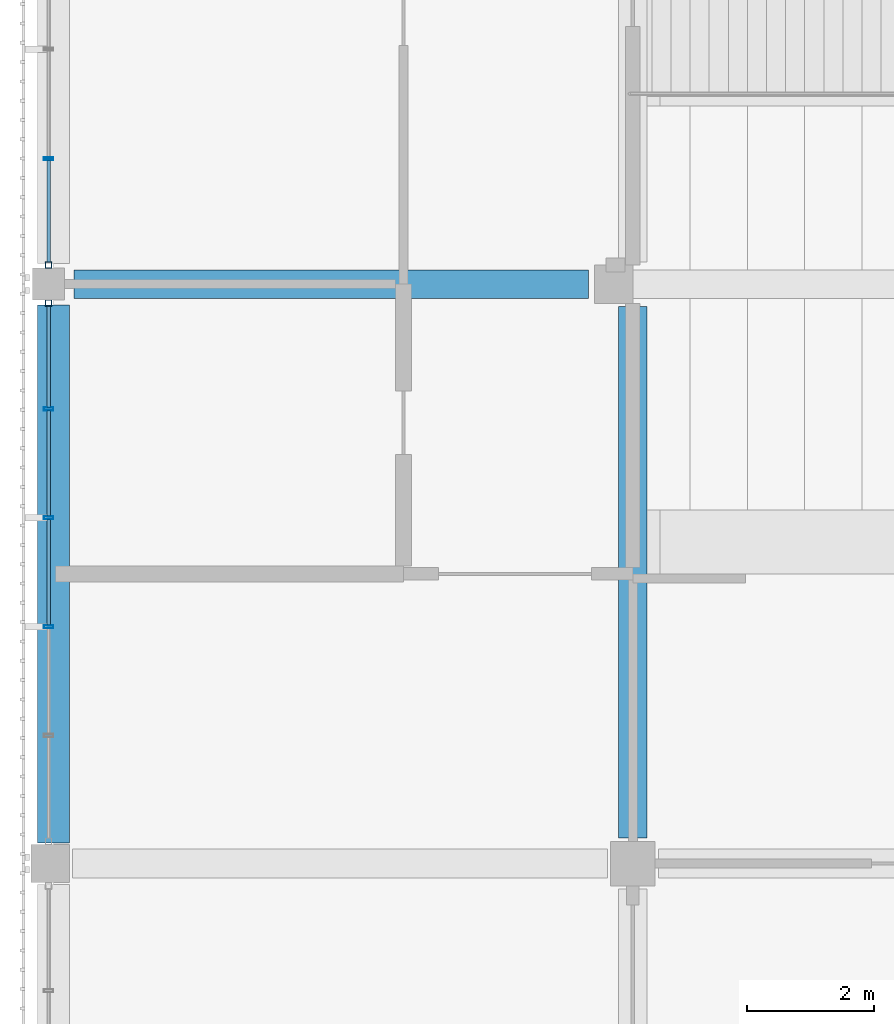
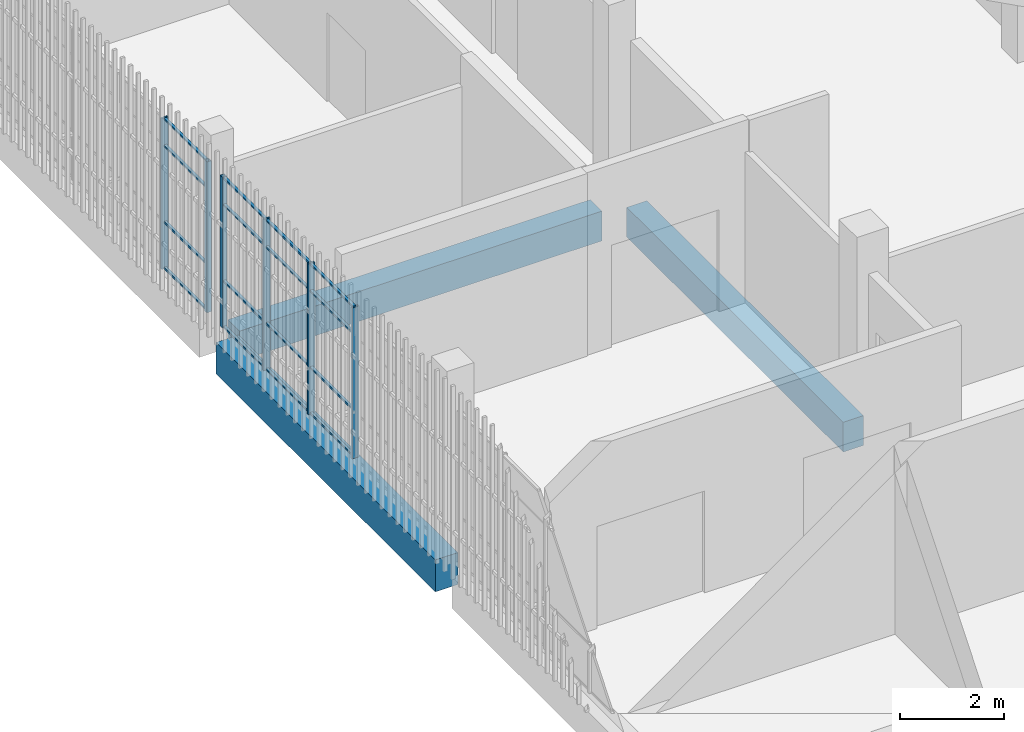
# One storey, part 16 of 139: 22 members, 3 beams, 2 elements without a shape of their own.
"""IFC4 building model written with IfcOpenShell, lengths in metres."""

import ifcopenshell
import ifcopenshell.guid

model = None  # the IFC model being written
_history = None  # IfcOwnerHistory: only IFC2X3 demands one
_inside = {}  # id of a spatial element -> (the spatial element, [elements in it])
_under = {}  # id of a project, library or spatial element -> (it, [spatial elements below it])
_declared = {}  # id of a project -> (the project, [libraries it declares])
_typed = {}  # id of a type object -> (the type object, [elements of that type])
_made_of = {}  # id of a material, layer set ... -> (it, [elements and type objects made of it])


def new_model(schema):
    """Start an empty IFC model of exactly this schema.

    Asked for "IFC4X3", IfcOpenShell would pick the latest addendum, in which some entities
    have other attributes; the version numbers below select the first issue.
    IFC2X3 requires an IfcOwnerHistory on every rooted entity: one is made here for all.
    """
    global model, _history
    if schema == "IFC4X3":
        model = ifcopenshell.file(schema_version=(4, 3, 0, 0))
    else:
        model = ifcopenshell.file(schema=schema)
    _inside.clear()
    _under.clear()
    _declared.clear()
    _typed.clear()
    _made_of.clear()
    _history = None
    if model.schema == "IFC2X3":
        org = make("IfcOrganization", Name="unknown")
        user = make(
            "IfcPersonAndOrganization",
            ThePerson=make("IfcPerson", FamilyName="unknown"),
            TheOrganization=org,
        )
        app = make(
            "IfcApplication",
            ApplicationDeveloper=org,
            Version="unknown",
            ApplicationFullName="unknown",
            ApplicationIdentifier="unknown",
        )
        _history = make(
            "IfcOwnerHistory",
            OwningUser=user,
            OwningApplication=app,
            ChangeAction="ADDED",
            CreationDate=0,
        )
    return model


def make(cls, **values):
    """One entity of the class cls with the attributes given. An attribute that is None is left unset."""
    return model.create_entity(
        cls, **{name: value for name, value in values.items() if value is not None}
    )


def rooted(cls, **values):
    """An entity with a GlobalId (a new one), such as an element, a storey or a relation."""
    return make(cls, GlobalId=ifcopenshell.guid.new(), OwnerHistory=_history, **values)


def si_unit(unit_type, name, prefix=None):
    """IfcSIUnit, for example si_unit("LENGTHUNIT", "METRE", prefix="MILLI")."""
    return make("IfcSIUnit", UnitType=unit_type, Prefix=prefix, Name=name)


def assignment(units):
    """IfcUnitAssignment: the units of a project."""
    return None if units is None else make("IfcUnitAssignment", Units=units)


def point(xyz):
    """IfcCartesianPoint."""
    return None if xyz is None else make("IfcCartesianPoint", Coordinates=xyz)


def direction(xyz):
    """IfcDirection."""
    return None if xyz is None else make("IfcDirection", DirectionRatios=xyz)


def frame(location, z_axis=None, x_axis=None):
    """IfcAxis2Placement3D, a coordinate frame: its origin and axes. An axis left out is left unset."""
    return make(
        "IfcAxis2Placement3D",
        Location=point(location),
        Axis=direction(z_axis),
        RefDirection=direction(x_axis),
    )


def frame_2d(location, x_axis=None):
    """IfcAxis2Placement2D, a coordinate frame in the plane: its origin and x axis."""
    return make(
        "IfcAxis2Placement2D", Location=point(location), RefDirection=direction(x_axis)
    )


def origin():
    """The frame at (0, 0, 0) with its axes left unset."""
    return frame((0.0, 0.0, 0.0))


def origin_2d():
    """The frame at (0, 0) in the plane with its x axis left unset."""
    return frame_2d((0.0, 0.0))


def place(relative_to, where):
    """IfcLocalPlacement: puts the frame where relative to a parent placement (None: the world)."""
    return make(
        "IfcLocalPlacement", PlacementRelTo=relative_to, RelativePlacement=where
    )


def context(
    kind, dimensions, precision=None, world=None, true_north=None, identifier=None
):
    """IfcGeometricRepresentationContext, for example the 3D "Model" context."""
    return make(
        "IfcGeometricRepresentationContext",
        ContextIdentifier=identifier,
        ContextType=kind,
        CoordinateSpaceDimension=dimensions,
        Precision=precision,
        WorldCoordinateSystem=world,
        TrueNorth=true_north,
    )


def subcontext(parent, identifier, kind, view, scale=None):
    """IfcGeometricRepresentationSubContext, for example "Body" below "Model"."""
    return make(
        "IfcGeometricRepresentationSubContext",
        ContextIdentifier=identifier,
        ContextType=kind,
        ParentContext=parent,
        TargetScale=scale,
        TargetView=view,
    )


def project(units=None, contexts=None):
    """IfcProject with its units and contexts."""
    return rooted(
        "IfcProject",
        Name="project",
        RepresentationContexts=contexts,
        UnitsInContext=assignment(units),
    )


def spatial(cls, under=None, at=None, **own):
    """A site, building, storey or space (cls), placed at a placement, below another one or the project."""
    s = rooted(cls, ObjectPlacement=at, **own)
    if under is not None:
        _under.setdefault(under.id(), (under, []))[1].append(s)
    return s


def profile(cls, at=None, kind="AREA", **sizes):
    """A parametric profile (cls). Its sizes go by their IFC names, for example OverallWidth=200.0."""
    return make(cls, ProfileType=kind, Position=at, **sizes)


def rectangle(**sizes):
    """IfcRectangleProfileDef."""
    return profile("IfcRectangleProfileDef", **sizes)


def hollow_rectangle(**sizes):
    """IfcRectangleHollowProfileDef."""
    return profile("IfcRectangleHollowProfileDef", **sizes)


def extrude(swept, where, along, depth):
    """IfcExtrudedAreaSolid: the profile swept, set in the frame where, extruded along a direction by depth."""
    return make(
        "IfcExtrudedAreaSolid",
        SweptArea=swept,
        Position=where,
        ExtrudedDirection=direction(along),
        Depth=depth,
    )


def shape(context_of_items, identifier, shape_type, items):
    """IfcShapeRepresentation: the items that make up one representation, for example the "Body"."""
    return make(
        "IfcShapeRepresentation",
        ContextOfItems=context_of_items,
        RepresentationIdentifier=identifier,
        RepresentationType=shape_type,
        Items=items,
    )


def material(Name=None, Category=None):
    """IfcMaterial."""
    return make("IfcMaterial", Name=Name, Category=Category)


def layer(
    of_material, thickness, ventilated=None, Name=None, Category=None, Priority=None
):
    """IfcMaterialLayer: one layer of a wall or slab, of a material (None: an air gap)."""
    return make(
        "IfcMaterialLayer",
        Material=of_material,
        LayerThickness=thickness,
        IsVentilated=ventilated,
        Name=Name,
        Category=Category,
        Priority=Priority,
    )


def layer_set(layers, Name=None):
    """IfcMaterialLayerSet."""
    return make("IfcMaterialLayerSet", MaterialLayers=layers, LayerSetName=Name)


def material_profile(
    of_material, cross_section, Name=None, Category=None, Priority=None
):
    """IfcMaterialProfile: a cross section and its material."""
    return make(
        "IfcMaterialProfile",
        Name=Name,
        Material=of_material,
        Profile=cross_section,
        Priority=Priority,
        Category=Category,
    )


def profile_set(profiles, Name=None, composite=None):
    """IfcMaterialProfileSet."""
    return make(
        "IfcMaterialProfileSet",
        Name=Name,
        MaterialProfiles=profiles,
        CompositeProfile=composite,
    )


def made_of(thing, what):
    """Note that an element or type object is made of a material, layer set ...; save() writes the relation."""
    if what is not None:
        _made_of.setdefault(what.id(), (what, []))[1].append(thing)
    return thing


def type_object(cls, material=None, **own):
    """A type object (cls), such as IfcWallType, which elements share."""
    return made_of(rooted(cls, **own), material)


def element(
    cls,
    number,
    at=None,
    inside=None,
    cuts=None,
    type_object=None,
    material=None,
    context=None,
    identifier="Body",
    shape_type=None,
    held_by="IfcProductDefinitionShape",
    body=None,
    shapes=None,
    **own,
):
    """One element of the class cls, such as IfcWall. Its Tag is "e" and its number.

    at: its placement. inside: the storey or other place that contains it. cuts: it is an
    opening in that element (IfcRelVoidsElement). A single representation is given by context,
    identifier, shape_type and body (its items); several are given by shapes. held_by: the class
    of the entity that holds the representations. save() writes the other relations.
    """
    e = rooted(cls, Tag="e%d" % number, ObjectPlacement=at, **own)
    if body is not None:
        shapes = [shape(context, identifier, shape_type, body)]
    if shapes is not None:
        e.Representation = make(held_by, Representations=shapes)
    if inside is not None:
        _inside.setdefault(inside.id(), (inside, []))[1].append(e)
    if cuts is not None:
        rooted(
            "IfcRelVoidsElement", RelatingBuildingElement=cuts, RelatedOpeningElement=e
        )
    if type_object is not None:
        _typed.setdefault(type_object.id(), (type_object, []))[1].append(e)
    return made_of(e, material)


def aggregate(whole, parts):
    """IfcRelAggregates: a whole, such as a stair, and the parts it consists of."""
    return rooted("IfcRelAggregates", RelatingObject=whole, RelatedObjects=parts)


def save(model, path):
    """Write the relations noted so far, then the file.

    IfcRelAggregates (storeys below a building ...), IfcRelContainedInSpatialStructure (elements
    in a storey), IfcRelDefinesByType, IfcRelAssociatesMaterial and IfcRelDeclares: one each for
    every whole, place, type object, material and project.
    """
    for whole, parts in _under.values():
        aggregate(whole, parts)
    for where, things in _inside.values():
        rooted(
            "IfcRelContainedInSpatialStructure",
            RelatedElements=things,
            RelatingStructure=where,
        )
    for kind, things in _typed.values():
        rooted("IfcRelDefinesByType", RelatedObjects=things, RelatingType=kind)
    for what, things in _made_of.values():
        rooted("IfcRelAssociatesMaterial", RelatedObjects=things, RelatingMaterial=what)
    for by, libraries in _declared.values():
        rooted("IfcRelDeclares", RelatingContext=by, RelatedDefinitions=libraries)
    model.write(path)


model = new_model("IFC4")

# Units and contexts
model_context = context("Model", 3, precision=1e-05, world=origin(), true_north=direction((0.0, 1.0)))
body_context = subcontext(model_context, "Body", "Model", "MODEL_VIEW")
ifc_project = project(units=[si_unit("LENGTHUNIT", "METRE"), si_unit("AREAUNIT", "SQUARE_METRE"), si_unit("VOLUMEUNIT", "CUBIC_METRE"), si_unit("PLANEANGLEUNIT", "RADIAN"), si_unit("MASSUNIT", "GRAM", prefix="KILO")], contexts=[model_context])

# Site, building, storey
site_placement = place(None, origin())
site = spatial("IfcSite", under=ifc_project, at=site_placement, CompositionType="ELEMENT")
building_placement = place(site_placement, origin())
building = spatial("IfcBuilding", under=site, at=building_placement, Name="Shirokan Park Arena", CompositionType="ELEMENT")
storey_placement = place(building_placement, frame((0.0, 0.0, 15.469970703125)))
storey = spatial("IfcBuildingStorey", under=building, at=storey_placement, Name="L03", CompositionType="ELEMENT", Elevation=15.469970703125)

# Curtain wall, member
ifc_material_1 = material(Name="Steel and glass curtain wall", Category="steel")
ifc_layer = layer(ifc_material_1, 0.14990234375)
ifc_layer_set = layer_set([ifc_layer], Name="Steel and glass curtain wall 150 mm")
curtain_wall_type = type_object("IfcCurtainWallType", Name="Curtain wall exposed bay 150", PredefinedType="NOTDEFINED", material=ifc_layer_set)
curtain_wall_1_placement = place(storey_placement, origin())
curtain_wall_1 = element("IfcCurtainWall", 1, at=curtain_wall_1_placement, inside=storey, type_object=curtain_wall_type, Name="Curtain wall west bay 7 L03", PredefinedType="NOTDEFINED")
ifc_material_2 = material(Name="Steel S355", Category="steel")
ifc_material_profile_1 = material_profile(ifc_material_2, hollow_rectangle(XDim=0.10009765625, YDim=0.10009765625, WallThickness=0.006103515625, at=origin_2d()), Name="RHS 100x100x6")
ifc_profile_set_1 = profile_set([ifc_material_profile_1], Name="Steel S355")
member_type_1 = type_object("IfcMemberType", Name="Mullion RHS 100x100x6", PredefinedType="MULLION", material=ifc_profile_set_1)
member_1_placement = place(storey_placement, frame((-0.074951171875, 45.800048828125, 0.0), z_axis=(0.0, 0.0, 1.0), x_axis=(1.0, 0.0, 0.0)))
member_1 = element("IfcMember", 2, at=member_1_placement, type_object=member_type_1, Name="CW1 mullion 6", PredefinedType="MULLION", context=body_context, shape_type="SweptSolid", body=[
    extrude(hollow_rectangle(XDim=0.10009765625, YDim=0.10009765625, WallThickness=0.006103515625, at=origin_2d()), origin(), (0.0, 0.0, 1.0), 3.550048828125),
])

curtain_wall_2_placement = place(storey_placement, origin())
curtain_wall_2 = element("IfcCurtainWall", 3, at=curtain_wall_2_placement, inside=storey, type_object=curtain_wall_type, Name="Curtain wall west bay 8 L03", PredefinedType="NOTDEFINED")
member_2_placement = place(storey_placement, frame((-0.074951171875, 45.199951171875, 0.0), z_axis=(0.0, 0.0, 1.0), x_axis=(1.0, 0.0, 0.0)))
member_2 = element("IfcMember", 4, at=member_2_placement, type_object=member_type_1, Name="CW1 mullion 1", PredefinedType="MULLION", context=body_context, shape_type="SweptSolid", body=[
    extrude(hollow_rectangle(XDim=0.10009765625, YDim=0.10009765625, WallThickness=0.006103515625, at=origin_2d()), origin(), (0.0, 0.0, 1.0), 3.550048828125),
])

# Member
ifc_material_profile_2 = material_profile(ifc_material_2, hollow_rectangle(XDim=0.14990234375, YDim=0.050048828125, WallThickness=0.006103515625, at=origin_2d()), Name="RHS 150x50x6")
ifc_profile_set_2 = profile_set([ifc_material_profile_2], Name="Steel S355")
member_type_2 = type_object("IfcMemberType", Name="Mullion RHS 150x50x6", PredefinedType="MULLION", material=ifc_profile_set_2)
member_3_placement = place(storey_placement, frame((-0.074951171875, 47.469970703125, 0.0), z_axis=(0.0, 0.0, 1.0), x_axis=(1.0, 0.0, 0.0)))
member_3 = element("IfcMember", 5, at=member_3_placement, type_object=member_type_2, Name="CW1 mullion 5", PredefinedType="MULLION", context=body_context, shape_type="SweptSolid", body=[
    extrude(hollow_rectangle(XDim=0.14990234375, YDim=0.050048828125, WallThickness=0.006103515625, at=origin_2d()), origin(), (0.0, 0.0, 1.0), 3.550048828125),
])

member_4_placement = place(storey_placement, frame((-0.074951171875, 43.5400390625, 0.0), z_axis=(0.0, 0.0, 1.0), x_axis=(1.0, 0.0, 0.0)))
member_4 = element("IfcMember", 6, at=member_4_placement, type_object=member_type_2, Name="CW1 mullion 2", PredefinedType="MULLION", context=body_context, shape_type="SweptSolid", body=[
    extrude(hollow_rectangle(XDim=0.14990234375, YDim=0.050048828125, WallThickness=0.006103515625, at=origin_2d()), origin(), (0.0, 0.0, 1.0), 3.550048828125),
])

member_5_placement = place(storey_placement, frame((-0.074951171875, 41.830078125, 0.0), z_axis=(0.0, 0.0, 1.0), x_axis=(1.0, 0.0, 0.0)))
member_5 = element("IfcMember", 7, at=member_5_placement, type_object=member_type_2, Name="CW1 mullion 3", PredefinedType="MULLION", context=body_context, shape_type="SweptSolid", body=[
    extrude(hollow_rectangle(XDim=0.14990234375, YDim=0.050048828125, WallThickness=0.006103515625, at=origin_2d()), origin(), (0.0, 0.0, 1.0), 3.550048828125),
])

member_6_placement = place(storey_placement, frame((-0.074951171875, 40.1201171875, 0.0), z_axis=(0.0, 0.0, 1.0), x_axis=(1.0, 0.0, 0.0)))
member_6 = element("IfcMember", 8, at=member_6_placement, type_object=member_type_2, Name="CW1 mullion 4", PredefinedType="MULLION", context=body_context, shape_type="SweptSolid", body=[
    extrude(hollow_rectangle(XDim=0.14990234375, YDim=0.050048828125, WallThickness=0.006103515625, at=origin_2d()), origin(), (0.0, 0.0, 1.0), 3.550048828125),
])

# Beams
ifc_material_3 = material(Name="Concrete C35", Category="concrete")
ifc_material_profile_3 = material_profile(ifc_material_3, rectangle(XDim=0.449951171875, YDim=0.699951171875, at=origin_2d()), Name="450x700")
ifc_profile_set_3 = profile_set([ifc_material_profile_3], Name="Concrete C35")
beam_type_1 = type_object("IfcBeamType", Name="RC girder 450x700", PredefinedType="BEAM", material=ifc_profile_set_3)
beam_1_placement = place(storey_placement, frame((0.3251953125, 45.5, -0.64990234375), z_axis=(1.0, 0.0, 0.0), x_axis=(0.0, 1.0, 0.0)))
element("IfcBeam", 9, at=beam_1_placement, inside=storey, type_object=beam_type_1, Name="Girder 1F-2F L03", PredefinedType="BEAM", context=body_context, shape_type="SweptSolid", body=[
    extrude(rectangle(XDim=0.449951171875, YDim=0.699951171875, at=origin_2d()), origin(), (0.0, 0.0, 1.0), 8.07470703125),
])
beam_2_placement = place(storey_placement, frame((9.10009765625, 36.800048828125, -0.64990234375), z_axis=(0.0, 1.0, 0.0), x_axis=(-1.0, 0.0, 0.0)))
element("IfcBeam", 10, at=beam_2_placement, inside=storey, type_object=beam_type_1, Name="Girder 2E-2F L03", PredefinedType="BEAM", context=body_context, shape_type="SweptSolid", body=[
    extrude(rectangle(XDim=0.449951171875, YDim=0.699951171875, at=origin_2d()), origin(), (0.0, 0.0, 1.0), 8.349853515625),
])
ifc_material_profile_4 = material_profile(ifc_material_3, rectangle(XDim=0.5, YDim=0.75, at=origin_2d()), Name="500x750")
ifc_profile_set_4 = profile_set([ifc_material_profile_4], Name="Concrete C35")
beam_type_2 = type_object("IfcBeamType", Name="RC girder 500x750", PredefinedType="BEAM", material=ifc_profile_set_4)
beam_3_placement = place(storey_placement, frame((0.0, 36.72509765625, -0.675048828125), z_axis=(0.0, 1.0, 0.0), x_axis=(-1.0, 0.0, 0.0)))
element("IfcBeam", 11, at=beam_3_placement, inside=storey, type_object=beam_type_2, Name="Girder 1E-1F L03", PredefinedType="BEAM", context=body_context, shape_type="SweptSolid", body=[
    extrude(rectangle(XDim=0.5, YDim=0.75, at=origin_2d()), origin(), (0.0, 0.0, 1.0), 8.44970703125),
])

# Member
ifc_material_profile_5 = material_profile(ifc_material_2, hollow_rectangle(XDim=0.06005859375, YDim=0.0400390625, WallThickness=0.00390625, at=origin_2d()), Name="RHS 60x40x4")
ifc_profile_set_5 = profile_set([ifc_material_profile_5], Name="Steel S355")
member_type_3 = type_object("IfcMemberType", Name="Transom RHS 60x40x4", PredefinedType="MULLION", material=ifc_profile_set_5)
member_7_placement = place(storey_placement, frame((-0.074951171875, 47.445068359375, 0.02001953125), z_axis=(0.0, -1.0, 0.0), x_axis=(1.0, 0.0, 0.0)))
member_7 = element("IfcMember", 12, at=member_7_placement, type_object=member_type_3, Name="CW1 transom 5.1", PredefinedType="MULLION", context=body_context, shape_type="SweptSolid", body=[
    extrude(hollow_rectangle(XDim=0.06005859375, YDim=0.0400390625, WallThickness=0.00390625, at=origin_2d()), origin(), (0.0, 0.0, 1.0), 1.594970703125),
])

member_8_placement = place(storey_placement, frame((-0.074951171875, 47.445068359375, 1.10009765625), z_axis=(0.0, -1.0, 0.0), x_axis=(1.0, 0.0, 0.0)))
member_8 = element("IfcMember", 13, at=member_8_placement, type_object=member_type_3, Name="CW1 transom 5.2", PredefinedType="MULLION", context=body_context, shape_type="SweptSolid", body=[
    extrude(hollow_rectangle(XDim=0.06005859375, YDim=0.0400390625, WallThickness=0.00390625, at=origin_2d()), origin(), (0.0, 0.0, 1.0), 1.594970703125),
])

member_9_placement = place(storey_placement, frame((-0.074951171875, 47.445068359375, 2.900146484375), z_axis=(0.0, -1.0, 0.0), x_axis=(1.0, 0.0, 0.0)))
member_9 = element("IfcMember", 14, at=member_9_placement, type_object=member_type_3, Name="CW1 transom 5.3", PredefinedType="MULLION", context=body_context, shape_type="SweptSolid", body=[
    extrude(hollow_rectangle(XDim=0.06005859375, YDim=0.0400390625, WallThickness=0.00390625, at=origin_2d()), origin(), (0.0, 0.0, 1.0), 1.594970703125),
])

member_10_placement = place(storey_placement, frame((-0.074951171875, 47.445068359375, 3.530029296875), z_axis=(0.0, -1.0, 0.0), x_axis=(1.0, 0.0, 0.0)))
member_10 = element("IfcMember", 15, at=member_10_placement, type_object=member_type_3, Name="CW1 transom 5.4", PredefinedType="MULLION", context=body_context, shape_type="SweptSolid", body=[
    extrude(hollow_rectangle(XDim=0.06005859375, YDim=0.0400390625, WallThickness=0.00390625, at=origin_2d()), origin(), (0.0, 0.0, 1.0), 1.594970703125),
])

aggregate(curtain_wall_1, [member_3, member_1, member_7, member_8, member_9, member_10])

member_11_placement = place(storey_placement, frame((-0.074951171875, 45.14990234375, 0.02001953125), z_axis=(0.0, -1.0, 0.0), x_axis=(1.0, 0.0, 0.0)))
member_11 = element("IfcMember", 16, at=member_11_placement, type_object=member_type_3, Name="CW1 transom 1.1", PredefinedType="MULLION", context=body_context, shape_type="SweptSolid", body=[
    extrude(hollow_rectangle(XDim=0.06005859375, YDim=0.0400390625, WallThickness=0.00390625, at=origin_2d()), origin(), (0.0, 0.0, 1.0), 1.5849609375),
])

member_12_placement = place(storey_placement, frame((-0.074951171875, 45.14990234375, 1.10009765625), z_axis=(0.0, -1.0, 0.0), x_axis=(1.0, 0.0, 0.0)))
member_12 = element("IfcMember", 17, at=member_12_placement, type_object=member_type_3, Name="CW1 transom 1.2", PredefinedType="MULLION", context=body_context, shape_type="SweptSolid", body=[
    extrude(hollow_rectangle(XDim=0.06005859375, YDim=0.0400390625, WallThickness=0.00390625, at=origin_2d()), origin(), (0.0, 0.0, 1.0), 1.5849609375),
])

member_13_placement = place(storey_placement, frame((-0.074951171875, 45.14990234375, 2.900146484375), z_axis=(0.0, -1.0, 0.0), x_axis=(1.0, 0.0, 0.0)))
member_13 = element("IfcMember", 18, at=member_13_placement, type_object=member_type_3, Name="CW1 transom 1.3", PredefinedType="MULLION", context=body_context, shape_type="SweptSolid", body=[
    extrude(hollow_rectangle(XDim=0.06005859375, YDim=0.0400390625, WallThickness=0.00390625, at=origin_2d()), origin(), (0.0, 0.0, 1.0), 1.5849609375),
])

member_14_placement = place(storey_placement, frame((-0.074951171875, 45.14990234375, 3.530029296875), z_axis=(0.0, -1.0, 0.0), x_axis=(1.0, 0.0, 0.0)))
member_14 = element("IfcMember", 19, at=member_14_placement, type_object=member_type_3, Name="CW1 transom 1.4", PredefinedType="MULLION", context=body_context, shape_type="SweptSolid", body=[
    extrude(hollow_rectangle(XDim=0.06005859375, YDim=0.0400390625, WallThickness=0.00390625, at=origin_2d()), origin(), (0.0, 0.0, 1.0), 1.5849609375),
])

member_15_placement = place(storey_placement, frame((-0.074951171875, 43.514892578125, 0.02001953125), z_axis=(0.0, -1.0, 0.0), x_axis=(1.0, 0.0, 0.0)))
member_15 = element("IfcMember", 20, at=member_15_placement, type_object=member_type_3, Name="CW1 transom 2.1", PredefinedType="MULLION", context=body_context, shape_type="SweptSolid", body=[
    extrude(hollow_rectangle(XDim=0.06005859375, YDim=0.0400390625, WallThickness=0.00390625, at=origin_2d()), origin(), (0.0, 0.0, 1.0), 1.659912109375),
])

member_16_placement = place(storey_placement, frame((-0.074951171875, 43.514892578125, 1.10009765625), z_axis=(0.0, -1.0, 0.0), x_axis=(1.0, 0.0, 0.0)))
member_16 = element("IfcMember", 21, at=member_16_placement, type_object=member_type_3, Name="CW1 transom 2.2", PredefinedType="MULLION", context=body_context, shape_type="SweptSolid", body=[
    extrude(hollow_rectangle(XDim=0.06005859375, YDim=0.0400390625, WallThickness=0.00390625, at=origin_2d()), origin(), (0.0, 0.0, 1.0), 1.659912109375),
])

member_17_placement = place(storey_placement, frame((-0.074951171875, 43.514892578125, 2.900146484375), z_axis=(0.0, -1.0, 0.0), x_axis=(1.0, 0.0, 0.0)))
member_17 = element("IfcMember", 22, at=member_17_placement, type_object=member_type_3, Name="CW1 transom 2.3", PredefinedType="MULLION", context=body_context, shape_type="SweptSolid", body=[
    extrude(hollow_rectangle(XDim=0.06005859375, YDim=0.0400390625, WallThickness=0.00390625, at=origin_2d()), origin(), (0.0, 0.0, 1.0), 1.659912109375),
])

member_18_placement = place(storey_placement, frame((-0.074951171875, 43.514892578125, 3.530029296875), z_axis=(0.0, -1.0, 0.0), x_axis=(1.0, 0.0, 0.0)))
member_18 = element("IfcMember", 23, at=member_18_placement, type_object=member_type_3, Name="CW1 transom 2.4", PredefinedType="MULLION", context=body_context, shape_type="SweptSolid", body=[
    extrude(hollow_rectangle(XDim=0.06005859375, YDim=0.0400390625, WallThickness=0.00390625, at=origin_2d()), origin(), (0.0, 0.0, 1.0), 1.659912109375),
])

member_19_placement = place(storey_placement, frame((-0.074951171875, 41.804931640625, 0.02001953125), z_axis=(0.0, -1.0, 0.0), x_axis=(1.0, 0.0, 0.0)))
member_19 = element("IfcMember", 24, at=member_19_placement, type_object=member_type_3, Name="CW1 transom 3.1", PredefinedType="MULLION", context=body_context, shape_type="SweptSolid", body=[
    extrude(hollow_rectangle(XDim=0.06005859375, YDim=0.0400390625, WallThickness=0.00390625, at=origin_2d()), origin(), (0.0, 0.0, 1.0), 1.659912109375),
])

member_20_placement = place(storey_placement, frame((-0.074951171875, 41.804931640625, 1.10009765625), z_axis=(0.0, -1.0, 0.0), x_axis=(1.0, 0.0, 0.0)))
member_20 = element("IfcMember", 25, at=member_20_placement, type_object=member_type_3, Name="CW1 transom 3.2", PredefinedType="MULLION", context=body_context, shape_type="SweptSolid", body=[
    extrude(hollow_rectangle(XDim=0.06005859375, YDim=0.0400390625, WallThickness=0.00390625, at=origin_2d()), origin(), (0.0, 0.0, 1.0), 1.659912109375),
])

member_21_placement = place(storey_placement, frame((-0.074951171875, 41.804931640625, 2.900146484375), z_axis=(0.0, -1.0, 0.0), x_axis=(1.0, 0.0, 0.0)))
member_21 = element("IfcMember", 26, at=member_21_placement, type_object=member_type_3, Name="CW1 transom 3.3", PredefinedType="MULLION", context=body_context, shape_type="SweptSolid", body=[
    extrude(hollow_rectangle(XDim=0.06005859375, YDim=0.0400390625, WallThickness=0.00390625, at=origin_2d()), origin(), (0.0, 0.0, 1.0), 1.659912109375),
])

member_22_placement = place(storey_placement, frame((-0.074951171875, 41.804931640625, 3.530029296875), z_axis=(0.0, -1.0, 0.0), x_axis=(1.0, 0.0, 0.0)))
member_22 = element("IfcMember", 27, at=member_22_placement, type_object=member_type_3, Name="CW1 transom 3.4", PredefinedType="MULLION", context=body_context, shape_type="SweptSolid", body=[
    extrude(hollow_rectangle(XDim=0.06005859375, YDim=0.0400390625, WallThickness=0.00390625, at=origin_2d()), origin(), (0.0, 0.0, 1.0), 1.659912109375),
])

aggregate(curtain_wall_2, [member_2, member_4, member_5, member_6, member_11, member_12, member_13, member_14, member_15, member_16, member_17, member_18, member_19, member_20, member_21, member_22])

save(model, "model.ifc")
